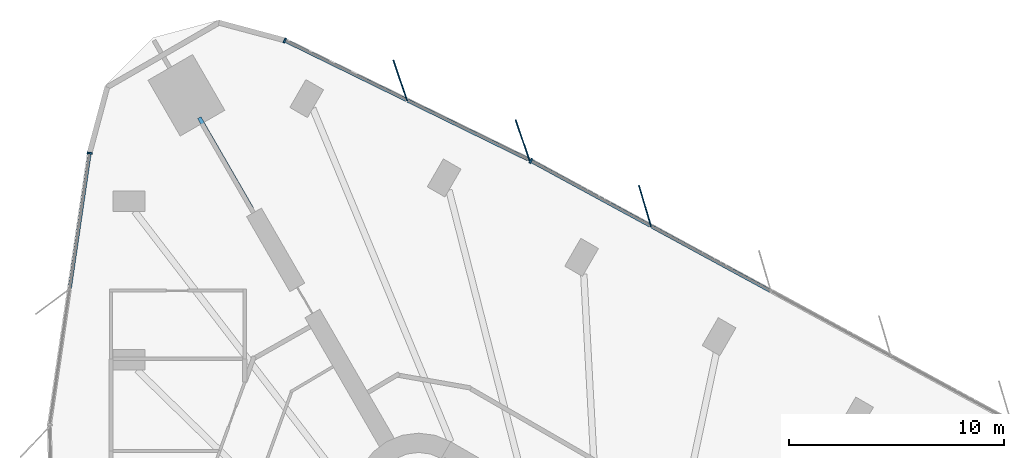
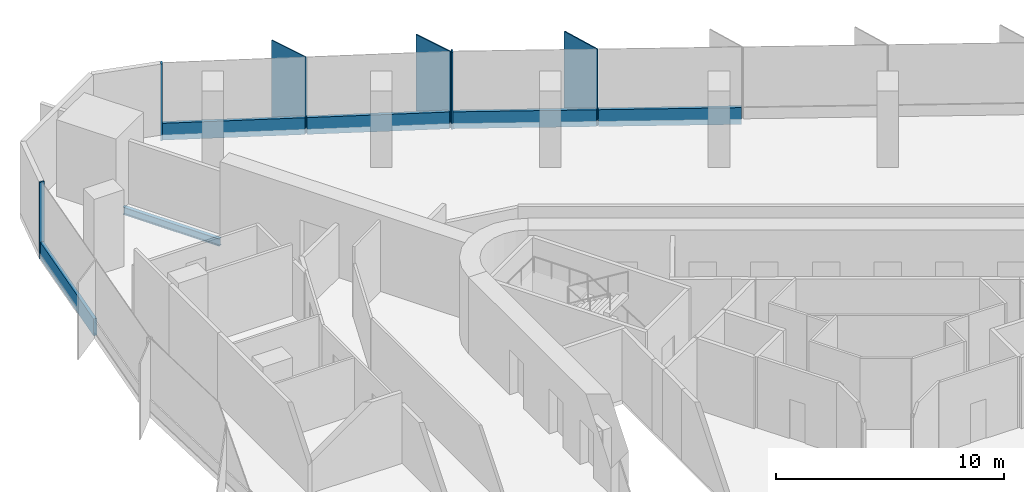
# One storey, part 6 of 14: 11 members, 1 beam, 3 elements without a shape of their own.
"""IFC4 building model written with IfcOpenShell, lengths in metres."""

from ifc_helpers import new_model, si_unit, direction, frame, origin, origin_2d, place, context, subcontext, project, spatial, rectangle, i_section, extrude, material, material_profile, profile_set, type_object, element, aggregate, save


model = new_model("IFC4")

# Units and contexts
model_context = context("Model", 3, precision=1e-05, world=origin(), true_north=direction((0.0, 1.0)))
body_context = subcontext(model_context, "Body", "Model", "MODEL_VIEW")
ifc_project = project(units=[si_unit("LENGTHUNIT", "METRE"), si_unit("AREAUNIT", "SQUARE_METRE"), si_unit("VOLUMEUNIT", "CUBIC_METRE"), si_unit("PLANEANGLEUNIT", "RADIAN"), si_unit("MASSUNIT", "GRAM", prefix="KILO")], contexts=[model_context])

# Site, building, storey
site_placement = place(None, origin())
site = spatial("IfcSite", under=ifc_project, at=site_placement, CompositionType="ELEMENT")
building_placement = place(site_placement, origin())
building = spatial("IfcBuilding", under=site, at=building_placement, Name="Tanit Gate Tower", CompositionType="ELEMENT")
storey_placement = place(building_placement, frame((0.0, 0.0, 143.89990234375)))
storey = spatial("IfcBuildingStorey", under=building, at=storey_placement, Name="L31", CompositionType="ELEMENT", Elevation=143.89990234375)

# Curtain wall, member
ifc_material_1 = material(Name="Aluminium bronze anodised and glass", Category="aluminium")
curtain_wall_type = type_object("IfcCurtainWallType", Name="Curtain wall typical low", PredefinedType="NOTDEFINED", material=ifc_material_1)
curtain_wall_1_placement = place(storey_placement, origin())
curtain_wall_1 = element("IfcCurtainWall", 1, at=curtain_wall_1_placement, inside=storey, type_object=curtain_wall_type, Name="Curtain wall L31 NE2", PredefinedType="NOTDEFINED")
ifc_material_2 = material(Name="Aluminium bronze anodised", Category="aluminium")
ifc_material_profile_1 = material_profile(ifc_material_2, rectangle(XDim=2.0, YDim=0.055908203125, at=origin_2d()), Name="56x2000 bronze fin mullion")
ifc_profile_set_1 = profile_set([ifc_material_profile_1], Name="Aluminium bronze anodised")
member_type_1 = type_object("IfcMemberType", Name="FIN MULLION 56x2000 bronze", PredefinedType="MULLION", material=ifc_profile_set_1)
member_1_placement = place(storey_placement, frame((1.43896484375, 29.34228515625, -0.2998046875), z_axis=(0.0, 0.0, 1.0), x_axis=(0.28377270479, -0.958891574692, 0.0)))
member_1 = element("IfcMember", 2, at=member_1_placement, type_object=member_type_1, Name="Fin mullion L31 NE2.6", PredefinedType="MULLION", context=body_context, shape_type="SweptSolid", body=[
    extrude(rectangle(XDim=2.0, YDim=0.055908203125, at=origin_2d()), origin(), (0.0, 0.0, 1.0), 4.099853515625),
])

# Curtain wall, members
curtain_wall_2_placement = place(storey_placement, origin())
curtain_wall_2 = element("IfcCurtainWall", 3, at=curtain_wall_2_placement, inside=storey, type_object=curtain_wall_type, Name="Curtain wall L31 NE3", PredefinedType="NOTDEFINED")
member_2_placement = place(storey_placement, frame((-4.260498046875, 32.402099609375, -0.2998046875), z_axis=(0.0, 0.0, 1.0), x_axis=(0.324672602566, -0.945826464603, 0.0)))
member_2 = element("IfcMember", 4, at=member_2_placement, type_object=member_type_1, Name="Fin mullion L31 NE3.1", PredefinedType="MULLION", context=body_context, shape_type="SweptSolid", body=[
    extrude(rectangle(XDim=2.0, YDim=0.055908203125, at=origin_2d()), origin(), (0.0, 0.0, 1.0), 4.099853515625),
])
member_3_placement = place(storey_placement, frame((-9.957275390625, 35.187255859375, -0.2998046875), z_axis=(0.0, 0.0, 1.0), x_axis=(0.324672602566, -0.945826464603, 0.0)))
member_3 = element("IfcMember", 5, at=member_3_placement, type_object=member_type_1, Name="Fin mullion L31 NE3.2", PredefinedType="MULLION", context=body_context, shape_type="SweptSolid", body=[
    extrude(rectangle(XDim=2.0, YDim=0.055908203125, at=origin_2d()), origin(), (0.0, 0.0, 1.0), 4.099853515625),
])

# Member
ifc_material_3 = material(Name="Aluminium bronze anodised", Category="aluminium")
ifc_material_profile_2 = material_profile(ifc_material_3, rectangle(XDim=0.239990234375, YDim=0.080078125, at=origin_2d()), Name="80x240 bronze mullion")
ifc_profile_set_2 = profile_set([ifc_material_profile_2], Name="Aluminium bronze anodised")
member_type_2 = type_object("IfcMemberType", Name="Mullion 80x240 typical low", PredefinedType="MULLION", material=ifc_profile_set_2)
member_4_placement = place(storey_placement, frame((-3.8720703125, 31.441162109375, -0.2998046875), z_axis=(0.0, 0.0, 1.0), x_axis=(-0.477381131015, -0.87869633876, 0.0)))
member_4 = element("IfcMember", 6, at=member_4_placement, type_object=member_type_2, Name="Mullion L31 NE2.7", PredefinedType="MULLION", context=body_context, shape_type="SweptSolid", body=[
    extrude(rectangle(XDim=0.239990234375, YDim=0.080078125, at=origin_2d()), origin(), (0.0, 0.0, 1.0), 4.099853515625),
])

member_5_placement = place(storey_placement, frame((-15.336669921875, 37.048095703125, -0.2998046875), z_axis=(0.0, 0.0, 1.0), x_axis=(-0.439222108006, -0.898378505886, 0.0)))
member_5 = element("IfcMember", 7, at=member_5_placement, type_object=member_type_2, Name="Mullion L31 NE3.3", PredefinedType="MULLION", context=body_context, shape_type="SweptSolid", body=[
    extrude(rectangle(XDim=0.239990234375, YDim=0.080078125, at=origin_2d()), origin(), (0.0, 0.0, 1.0), 4.099853515625),
])

# Curtain wall, member
curtain_wall_3_placement = place(storey_placement, origin())
curtain_wall_3 = element("IfcCurtainWall", 8, at=curtain_wall_3_placement, inside=storey, type_object=curtain_wall_type, Name="Curtain wall L31 W1", PredefinedType="NOTDEFINED")
member_6_placement = place(storey_placement, frame((-24.42041015625, 31.802001953125, -0.2998046875), z_axis=(0.0, 0.0, 1.0), x_axis=(0.989399755479, -0.145217505343, 0.0)))
member_6 = element("IfcMember", 9, at=member_6_placement, type_object=member_type_2, Name="Mullion L31 W1.1", PredefinedType="MULLION", context=body_context, shape_type="SweptSolid", body=[
    extrude(rectangle(XDim=0.239990234375, YDim=0.080078125, at=origin_2d()), origin(), (0.0, 0.0, 1.0), 4.099853515625),
])

# Beam
ifc_material_4 = material(Name="Steel S355", Category="steel")
ifc_material_profile_3 = material_profile(ifc_material_4, i_section(OverallWidth=0.179931640625, OverallDepth=0.39990234375, WebThickness=0.008544921875, FlangeThickness=0.013427734375, FilletRadius=0.02099609375, at=origin_2d()), Name="IPE 400")
ifc_profile_set_3 = profile_set([ifc_material_profile_3], Name="Steel S355")
beam_type = type_object("IfcBeamType", Name="RADIAL GIRDER IPE 400 S355", PredefinedType="BEAM", material=ifc_profile_set_3)
beam_placement = place(storey_placement, frame((-19.31396484375, 33.45263671875, -0.5), z_axis=(0.500002508028, -0.866023955769, 0.0), x_axis=(0.866023955769, 0.500002508028, 0.0)))
element("IfcBeam", 10, at=beam_placement, inside=storey, type_object=beam_type, Name="RADIAL GIRDER", PredefinedType="BEAM", context=body_context, shape_type="SweptSolid", body=[
    extrude(i_section(OverallWidth=0.179931640625, OverallDepth=0.39990234375, WebThickness=0.008544921875, FlangeThickness=0.013427734375, FilletRadius=0.02099609375, at=origin_2d()), origin(), (0.0, 0.0, 1.0), 4.8798828125),
])

# Member
ifc_material_5 = material(Name="Aluminium bronze anodised", Category="aluminium")
ifc_material_profile_4 = material_profile(ifc_material_5, rectangle(XDim=0.159912109375, YDim=0.89990234375, at=origin_2d()), Name="160x900 bronze transom")
ifc_profile_set_4 = profile_set([ifc_material_profile_4], Name="Aluminium bronze anodised")
member_type_3 = type_object("IfcMemberType", Name="Transom 160x900 typical low", PredefinedType="USERDEFINED", material=ifc_profile_set_4)
member_7_placement = place(storey_placement, frame((7.26953125, 25.38818359375, 0.150146484375), z_axis=(-0.878701089496, 0.477372386422, 0.0), x_axis=(-0.477372386422, -0.878701089496, 0.0)))
member_7 = element("IfcMember", 11, at=member_7_placement, type_object=member_type_3, Name="Transom L31 NE2.5", ObjectType="TRANSOM", PredefinedType="USERDEFINED", context=body_context, shape_type="SweptSolid", body=[
    extrude(rectangle(XDim=0.159912109375, YDim=0.89990234375, at=origin_2d()), origin(), (0.0, 0.0, 1.0), 6.27978515625),
])

member_8_placement = place(storey_placement, frame((1.68115234375, 28.424072265625, 0.150146484375), z_axis=(-0.878701089496, 0.477372386422, 0.0), x_axis=(-0.477372386422, -0.878701089496, 0.0)))
member_8 = element("IfcMember", 12, at=member_8_placement, type_object=member_type_3, Name="Transom L31 NE2.6", ObjectType="TRANSOM", PredefinedType="USERDEFINED", context=body_context, shape_type="SweptSolid", body=[
    extrude(rectangle(XDim=0.159912109375, YDim=0.89990234375, at=origin_2d()), origin(), (0.0, 0.0, 1.0), 6.27978515625),
])

aggregate(curtain_wall_1, [member_1, member_4, member_7, member_8])

member_9_placement = place(storey_placement, frame((-3.97900390625, 31.495361328125, 0.150146484375), z_axis=(-0.898384360919, 0.439210132005, 0.0), x_axis=(-0.439210132005, -0.898384360919, 0.0)))
member_9 = element("IfcMember", 13, at=member_9_placement, type_object=member_type_3, Name="Transom L31 NE3.1", ObjectType="TRANSOM", PredefinedType="USERDEFINED", context=body_context, shape_type="SweptSolid", body=[
    extrude(rectangle(XDim=0.159912109375, YDim=0.89990234375, at=origin_2d()), origin(), (0.0, 0.0, 1.0), 6.26123046875),
])

member_10_placement = place(storey_placement, frame((-9.67578125, 34.280517578125, 0.150146484375), z_axis=(-0.898384360919, 0.439210132005, 0.0), x_axis=(-0.439210132005, -0.898384360919, 0.0)))
member_10 = element("IfcMember", 14, at=member_10_placement, type_object=member_type_3, Name="Transom L31 NE3.2", ObjectType="TRANSOM", PredefinedType="USERDEFINED", context=body_context, shape_type="SweptSolid", body=[
    extrude(rectangle(XDim=0.159912109375, YDim=0.89990234375, at=origin_2d()), origin(), (0.0, 0.0, 1.0), 6.26123046875),
])

aggregate(curtain_wall_2, [member_2, member_3, member_5, member_9, member_10])

member_11_placement = place(storey_placement, frame((-24.42626953125, 31.76220703125, 0.150146484375), z_axis=(-0.145221203289, -0.989399212712, 0.0), x_axis=(0.989399212712, -0.145221203289, 0.0)))
member_11 = element("IfcMember", 15, at=member_11_placement, type_object=member_type_3, Name="Transom L31 W1.1", ObjectType="TRANSOM", PredefinedType="USERDEFINED", context=body_context, shape_type="SweptSolid", body=[
    extrude(rectangle(XDim=0.159912109375, YDim=0.89990234375, at=origin_2d()), origin(), (0.0, 0.0, 1.0), 6.312744140625),
])

aggregate(curtain_wall_3, [member_6, member_11])

save(model, "model.ifc")
